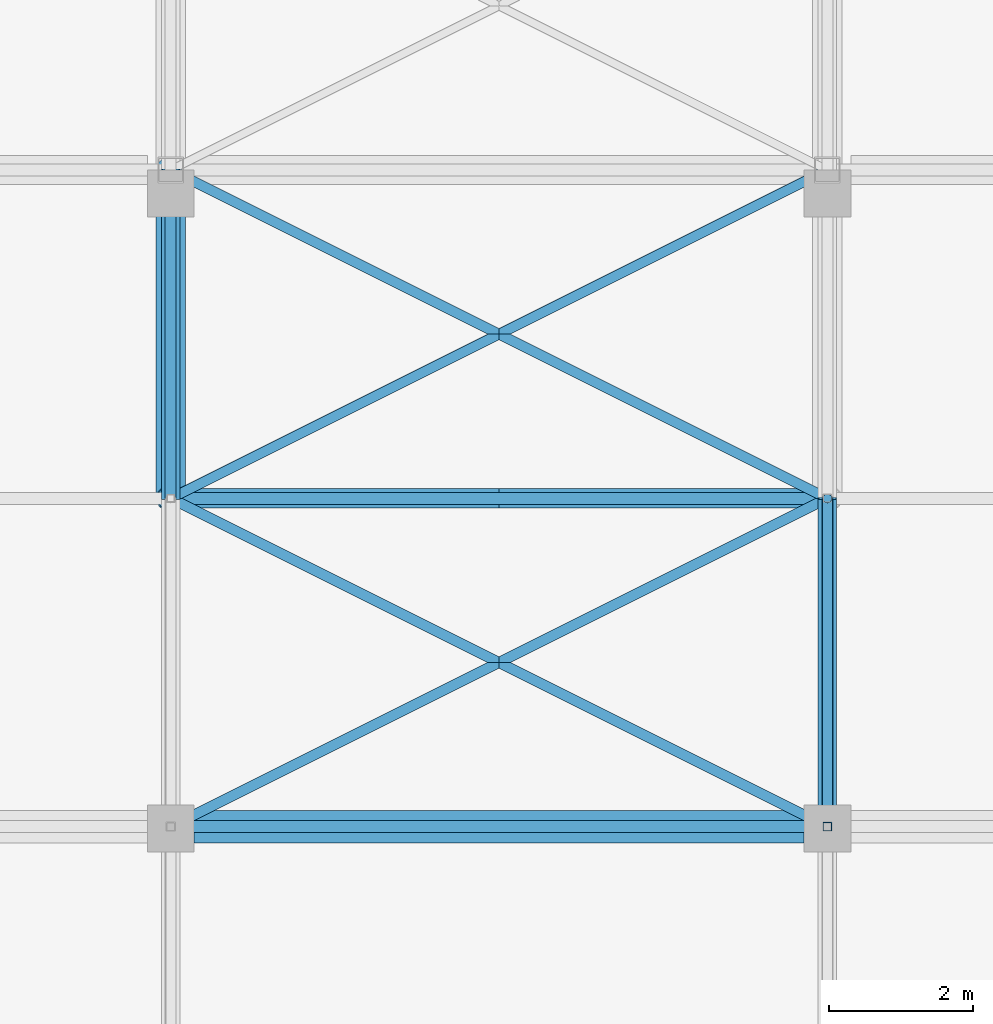
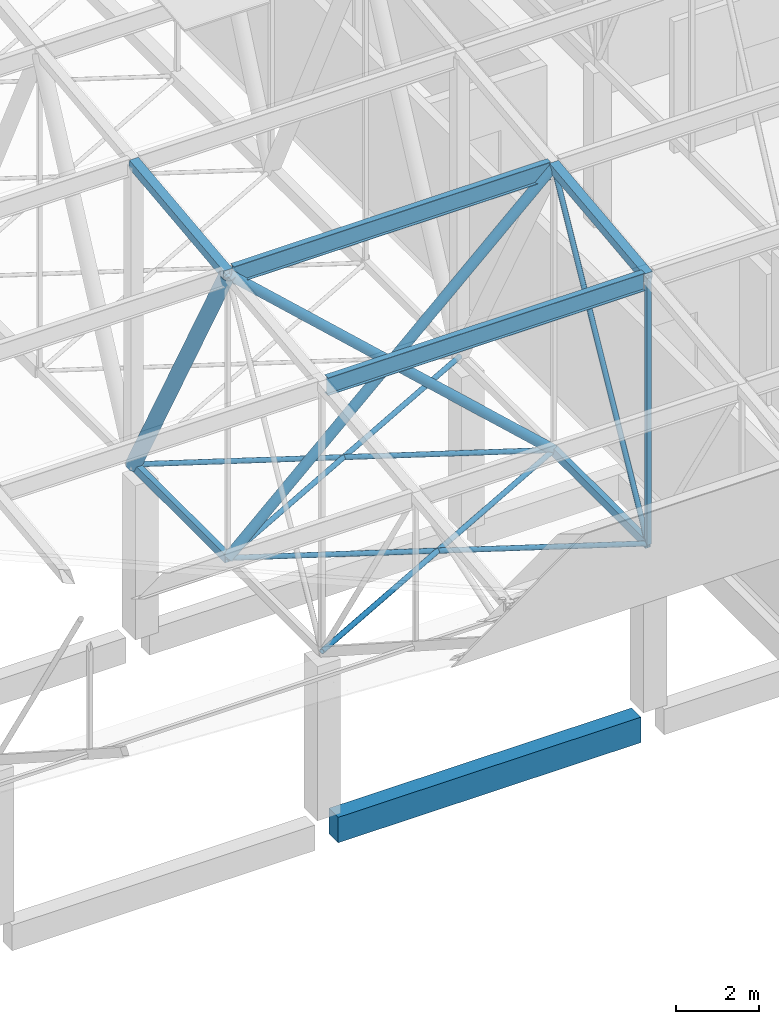
# One storey, part 111 of 500: 15 members, 1 beam.
"""IFC4 building model written with IfcOpenShell, lengths in metres."""

from ifc_helpers import new_model, si_unit, direction, frame, origin, origin_2d, place, context, subcontext, project, spatial, rectangle, hollow_rectangle, hollow_circle, i_section, extrude, material, material_profile, profile_set, type_object, element, save


model = new_model("IFC4")

# Units and contexts
model_context = context("Model", 3, precision=1e-05, world=origin(), true_north=direction((0.0, 1.0)))
body_context = subcontext(model_context, "Body", "Model", "MODEL_VIEW")
ifc_project = project(units=[si_unit("LENGTHUNIT", "METRE"), si_unit("AREAUNIT", "SQUARE_METRE"), si_unit("VOLUMEUNIT", "CUBIC_METRE"), si_unit("PLANEANGLEUNIT", "RADIAN"), si_unit("MASSUNIT", "GRAM", prefix="KILO")], contexts=[model_context])

# Site, building, storey
site_placement = place(None, origin())
site = spatial("IfcSite", under=ifc_project, at=site_placement, CompositionType="ELEMENT")
building_placement = place(site_placement, origin())
building = spatial("IfcBuilding", under=site, at=building_placement, Name="Shirokan Park Arena", CompositionType="ELEMENT")
storey_placement = place(building_placement, frame((0.0, 0.0, 29.1201171875)))
storey = spatial("IfcBuildingStorey", under=building, at=storey_placement, Name="L06", CompositionType="ELEMENT", Elevation=29.1201171875)

# Members
ifc_material_1 = material(Name="Steel ASTM A500 Grade C", Category="steel")
ifc_material_profile_1 = material_profile(ifc_material_1, hollow_circle(Radius=0.136474609375, WallThickness=0.009521484375, at=origin_2d()), Name="HSS273.1X9.5")
ifc_profile_set_1 = profile_set([ifc_material_profile_1], Name="Steel ASTM A500 Grade C")
member_type_1 = type_object("IfcMemberType", Name="Bearing bracing HSS273.1X9.5", PredefinedType="BRACE", material=ifc_profile_set_1)
for number, where, z_axis, x_axis, name in (
    (1, (91.0, 4.550048828125, 4.677001953125), (0.735440048561, 0.0, 0.677589798457), (0.0, 1.0, 0.0), "Bearing bracing bay 11 node 4 A"),
    (2, (100.10009765625, 4.550048828125, 4.677001953125), (-0.735440048561, 0.0, 0.677589798457), (0.0, -1.0, 0.0), "Bearing bracing bay 11 node 4 B"),
):
    element("IfcMember", number, at=place(storey_placement, frame(where, z_axis=z_axis, x_axis=x_axis)), inside=storey, type_object=member_type_1, Name=name, PredefinedType="BRACE", context=body_context, shape_type="SweptSolid", body=[
        extrude(hollow_circle(Radius=0.136474609375, WallThickness=0.009521484375, at=origin_2d()), origin(), (0.0, 0.0, 1.0), 12.373779296875),
    ])
ifc_material_profile_2 = material_profile(ifc_material_1, hollow_rectangle(XDim=0.152099609375, YDim=0.25390625, WallThickness=0.009521484375, at=origin_2d()), Name="HSS254X152.4X9.5")
ifc_profile_set_2 = profile_set([ifc_material_profile_2], Name="Steel ASTM A500 Grade C")
member_type_2 = type_object("IfcMemberType", Name="Bottom chord HSS254X152.4X9.5", PredefinedType="CHORD", material=ifc_profile_set_2)
for number, where, z_axis, x_axis, name in (
    (3, (91.0, 4.550048828125, 4.677001953125), (0.0, 1.0, 0.0), (-1.0, 0.0, 0.0), "Truss T11 bottom chord 4"),
    (4, (100.10009765625, 0.0, 4.677001953125), (0.0, 1.0, 0.0), (-1.0, 0.0, 0.0), "Truss T12 bottom chord 3"),
):
    element("IfcMember", number, at=place(storey_placement, frame(where, z_axis=z_axis, x_axis=x_axis)), inside=storey, type_object=member_type_2, Name=name, PredefinedType="CHORD", context=body_context, shape_type="SweptSolid", body=[
        extrude(hollow_rectangle(XDim=0.152099609375, YDim=0.25390625, WallThickness=0.009521484375, at=origin_2d()), origin(), (0.0, 0.0, 1.0), 4.550048828125),
    ])
ifc_material_profile_3 = material_profile(ifc_material_1, hollow_circle(Radius=0.070556640625, WallThickness=0.009521484375, at=origin_2d()), Name="HSS141.3X9.5")
ifc_profile_set_3 = profile_set([ifc_material_profile_3], Name="Steel ASTM A500 Grade C")
member_type_3 = type_object("IfcMemberType", Name="Plan bracing HSS141.3X9.5", PredefinedType="BRACE", material=ifc_profile_set_3)
for number, where, z_axis, x_axis, name in (
    (5, (91.0, 0.0, 4.677001953125), (0.894427191, 0.4472135955, 0.0), (-0.4472135955, 0.894427191, 0.0), "Plan bracing bay 11 panel 3 A"),
    (6, (100.10009765625, 0.0, 4.677001953125), (-0.894427191, 0.4472135955, 0.0), (-0.4472135955, -0.894427191, 0.0), "Plan bracing bay 11 panel 3 B"),
    (7, (91.0, 4.550048828125, 4.677001953125), (0.894427191, 0.4472135955, 0.0), (-0.4472135955, 0.894427191, 0.0), "Plan bracing bay 11 panel 4 A"),
    (8, (100.10009765625, 4.550048828125, 4.677001953125), (-0.894427191, 0.4472135955, 0.0), (-0.4472135955, -0.894427191, 0.0), "Plan bracing bay 11 panel 4 B"),
):
    element("IfcMember", number, at=place(storey_placement, frame(where, z_axis=z_axis, x_axis=x_axis)), inside=storey, type_object=member_type_3, Name=name, PredefinedType="BRACE", context=body_context, shape_type="SweptSolid", body=[
        extrude(hollow_circle(Radius=0.070556640625, WallThickness=0.009521484375, at=origin_2d()), origin(), (0.0, 0.0, 1.0), 10.17431640625),
    ])
ifc_material_2 = material(Name="Steel ASTM A992", Category="steel")
ifc_material_profile_4 = material_profile(ifc_material_2, i_section(OverallWidth=0.166015625, OverallDepth=0.528076171875, WebThickness=0.009765625, FlangeThickness=0.013671875, at=origin_2d()), Name="W530X74")
ifc_profile_set_4 = profile_set([ifc_material_profile_4], Name="Steel ASTM A992")
member_type_4 = type_object("IfcMemberType", Name="Purlin W530X74", PredefinedType="PURLIN", material=ifc_profile_set_4)
for number, where, z_axis, x_axis, name in (
    (9, (91.126953125, 0.0, 12.48583984375), (1.0, 0.0, 0.0), (0.0, 1.0, 0.0), "Purlin 3 bay 11"),
    (10, (91.126953125, 4.550048828125, 13.005859375), (1.0, 0.0, 0.0), (0.0, 1.0, 0.0), "Purlin 4 bay 11"),
):
    element("IfcMember", number, at=place(storey_placement, frame(where, z_axis=z_axis, x_axis=x_axis)), inside=storey, type_object=member_type_4, Name=name, PredefinedType="PURLIN", context=body_context, shape_type="SweptSolid", body=[
        extrude(i_section(OverallWidth=0.166015625, OverallDepth=0.528076171875, WebThickness=0.009765625, FlangeThickness=0.013671875, at=origin_2d()), origin(), (0.0, 0.0, 1.0), 8.845947265625),
    ])

# Beam
ifc_material_3 = material(Name="Concrete C35", Category="concrete")
ifc_material_profile_5 = material_profile(ifc_material_3, rectangle(XDim=0.449951171875, YDim=0.75, at=origin_2d()), Name="450x750")
ifc_profile_set_5 = profile_set([ifc_material_profile_5], Name="Concrete C35")
beam_type = type_object("IfcBeamType", Name="RC girder 450x750", PredefinedType="BEAM", material=ifc_profile_set_5)
beam_placement = place(storey_placement, frame((91.3251953125, 0.0, -0.5751953125), z_axis=(1.0, 0.0, 0.0), x_axis=(0.0, 1.0, 0.0)))
element("IfcBeam", 11, at=beam_placement, inside=storey, type_object=beam_type, Name="Girder 11A-12A L06", PredefinedType="BEAM", context=body_context, shape_type="SweptSolid", body=[
    extrude(rectangle(XDim=0.449951171875, YDim=0.75, at=origin_2d()), origin(), (0.0, 0.0, 1.0), 8.44970703125),
])

# Members
ifc_material_profile_6 = material_profile(ifc_material_1, hollow_rectangle(XDim=0.25390625, YDim=0.25390625, WallThickness=0.009521484375, at=origin_2d()), Name="HSS254X254X9.5")
ifc_profile_set_6 = profile_set([ifc_material_profile_6], Name="Steel ASTM A500 Grade C")
member_type_5 = type_object("IfcMemberType", Name="Top chord HSS254X254X9.5", PredefinedType="CHORD", material=ifc_profile_set_6)
for number, where, z_axis, x_axis, name in (
    (12, (91.0, 4.550048828125, 13.061279296875), (0.0, 0.993532328996, 0.113549598152), (-1.0, 0.0, 0.0), "Truss T11 top chord 4"),
    (13, (100.10009765625, 0.0, 12.54150390625), (0.0, 0.993538341779, 0.113496975353), (-1.0, 0.0, 0.0), "Truss T12 top chord 3"),
):
    element("IfcMember", number, at=place(storey_placement, frame(where, z_axis=z_axis, x_axis=x_axis)), inside=storey, type_object=member_type_5, Name=name, PredefinedType="CHORD", context=body_context, shape_type="SweptSolid", body=[
        extrude(hollow_rectangle(XDim=0.25390625, YDim=0.25390625, WallThickness=0.009521484375, at=origin_2d()), origin(), (0.0, 0.0, 1.0), 4.57958984375),
    ])
ifc_material_profile_7 = material_profile(ifc_material_1, hollow_circle(Radius=0.070556640625, WallThickness=0.006591796875, at=origin_2d()), Name="HSS141.3X6.6")
ifc_profile_set_7 = profile_set([ifc_material_profile_7], Name="Steel ASTM A500 Grade C")
member_type_6 = type_object("IfcMemberType", Name="Truss diagonal HSS141.3X6.6", PredefinedType="BRACE", material=ifc_profile_set_7)
member_1_placement = place(storey_placement, frame((100.10009765625, 0.0, 4.677001953125), z_axis=(0.0, 0.476977206611, 0.878915663971), x_axis=(-1.0, 0.0, 0.0)))
element("IfcMember", 14, at=member_1_placement, inside=storey, type_object=member_type_6, Name="Truss T12 diagonal 3", PredefinedType="BRACE", context=body_context, shape_type="SweptSolid", body=[
    extrude(hollow_circle(Radius=0.070556640625, WallThickness=0.006591796875, at=origin_2d()), origin(), (0.0, 0.0, 1.0), 9.539306640625),
])
ifc_material_profile_8 = material_profile(ifc_material_1, hollow_circle(Radius=0.202880859375, WallThickness=0.015869140625, at=origin_2d()), Name="HSS406.4X15.9")
ifc_profile_set_8 = profile_set([ifc_material_profile_8], Name="Steel ASTM A500 Grade C")
member_type_7 = type_object("IfcMemberType", Name="Truss diagonal HSS406.4X15.9", PredefinedType="BRACE", material=ifc_profile_set_8)
member_2_placement = place(storey_placement, frame((91.0, 4.550048828125, 13.061279296875), z_axis=(0.0, 0.476977206611, -0.878915663971), x_axis=(-1.0, 0.0, 0.0)))
element("IfcMember", 15, at=member_2_placement, inside=storey, type_object=member_type_7, Name="Truss T11 diagonal 4", PredefinedType="BRACE", context=body_context, shape_type="SweptSolid", body=[
    extrude(hollow_circle(Radius=0.202880859375, WallThickness=0.015869140625, at=origin_2d()), origin(), (0.0, 0.0, 1.0), 9.539306640625),
])
ifc_material_profile_9 = material_profile(ifc_material_1, hollow_rectangle(XDim=0.126953125, YDim=0.126953125, WallThickness=0.0126953125, at=origin_2d()), Name="HSS127X127X12.7")
ifc_profile_set_9 = profile_set([ifc_material_profile_9], Name="Steel ASTM A500 Grade C")
member_type_8 = type_object("IfcMemberType", Name="Truss post HSS127X127X12.7", PredefinedType="POST", material=ifc_profile_set_9)
member_3_placement = place(storey_placement, frame((100.10009765625, 0.0, 4.677001953125), z_axis=(0.0, 0.0, 1.0), x_axis=(1.0, 0.0, 0.0)))
element("IfcMember", 16, at=member_3_placement, inside=storey, type_object=member_type_8, Name="Truss T12 post 3", PredefinedType="POST", context=body_context, shape_type="SweptSolid", body=[
    extrude(hollow_rectangle(XDim=0.126953125, YDim=0.126953125, WallThickness=0.0126953125, at=origin_2d()), origin(), (0.0, 0.0, 1.0), 7.864501953125),
])

save(model, "model.ifc")
